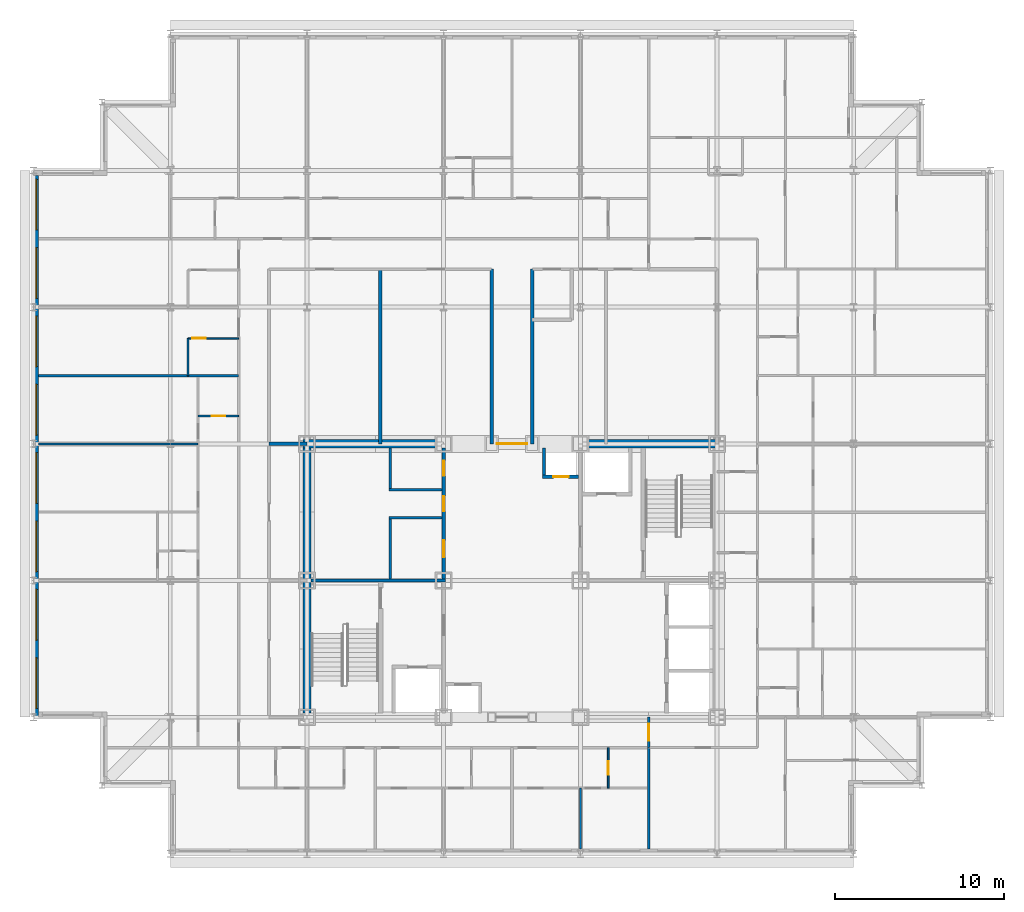
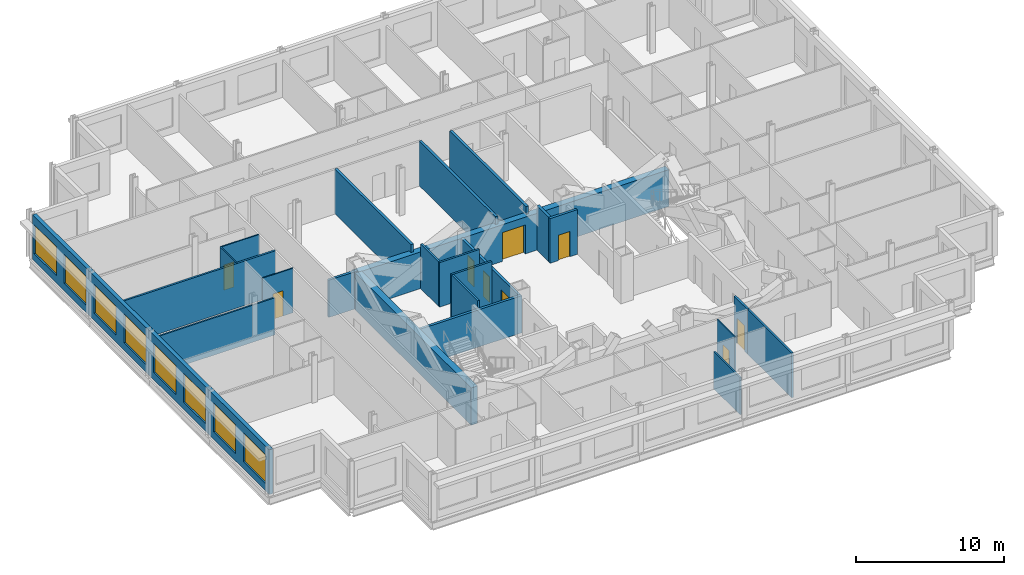
# One storey, part 9 of 15: 24 walls, 9 doors, 8 windows, 17 openings.
"""IFC4 building model written with IfcOpenShell, lengths in metres."""

from ifc_helpers import new_model, si_unit, direction, frame, frame_2d, origin, place, context, subcontext, project, spatial, rectangle, extrude, material, layer, layer_set, type_object, element, fill, save


model = new_model("IFC4")

# Units and contexts
model_context = context("Model", 3, precision=1e-05, world=origin(), true_north=direction((0.0, 1.0)))
body_context = subcontext(model_context, "Body", "Model", "MODEL_VIEW")
ifc_project = project(units=[si_unit("LENGTHUNIT", "METRE"), si_unit("AREAUNIT", "SQUARE_METRE"), si_unit("VOLUMEUNIT", "CUBIC_METRE"), si_unit("PLANEANGLEUNIT", "RADIAN"), si_unit("MASSUNIT", "GRAM", prefix="KILO")], contexts=[model_context])

# Site, building, storey
site_placement = place(None, origin())
site = spatial("IfcSite", under=ifc_project, at=site_placement, CompositionType="ELEMENT")
building_placement = place(site_placement, origin())
building = spatial("IfcBuilding", under=site, at=building_placement, Name="Kopane Lantern Tower", CompositionType="ELEMENT")
storey_placement = place(building_placement, frame((0.0, 0.0, 254.10009765625)))
storey = spatial("IfcBuildingStorey", under=building, at=storey_placement, Name="L65", CompositionType="ELEMENT", Elevation=254.10009765625)

# Walls
ifc_material_1 = material(Name="Gypsum board on steel studs", Category="steel")
ifc_layer_1 = layer(ifc_material_1, 0.1201171875)
ifc_layer_set_1 = layer_set([ifc_layer_1], Name="APARTMENT INTERNAL WALL 120")
wall_type_1 = type_object("IfcWallType", Name="APARTMENT INTERNAL WALL 120", PredefinedType="PARTITIONING", material=ifc_layer_set_1)
wall_1_placement = place(storey_placement, frame((32.39990234375, 20.10009765625, 0.0), z_axis=(0.0, 0.0, 1.0), x_axis=(0.0, -1.0, 0.0)))
element("IfcWall", 1, at=wall_1_placement, inside=storey, type_object=wall_type_1, Name="Apartment Internal Wall 120 L65", PredefinedType="PARTITIONING", context=body_context, shape_type="SweptSolid", body=[
    extrude(rectangle(XDim=3.60009765625, YDim=0.1201171875, at=frame_2d((1.800048828125, 0.0))), origin(), (0.0, 0.0, 1.0), 3.07763671875),
])
wall_2_placement = place(storey_placement, frame((9.75, 40.5, 0.0), z_axis=(0.0, 0.0, 1.0), x_axis=(-1.0, 0.0, 0.0)))
element("IfcWall", 2, at=wall_2_placement, inside=storey, type_object=wall_type_1, Name="Apartment Internal Wall 120 L65", PredefinedType="PARTITIONING", context=body_context, shape_type="SweptSolid", body=[
    extrude(rectangle(XDim=9.449951171875, YDim=0.1201171875, at=frame_2d((4.72509765625, 0.0))), origin(), (0.0, 0.0, 1.0), 3.07763671875),
])

# Wall, opening, door
ifc_material_2 = material(Name="Moisture-resistant board on steel studs", Category="steel")
ifc_layer_2 = layer(ifc_material_2, 0.10009765625)
ifc_layer_set_2 = layer_set([ifc_layer_2], Name="BATHROOM WALL 100")
wall_type_2 = type_object("IfcWallType", Name="BATHROOM WALL 100", PredefinedType="PARTITIONING", material=ifc_layer_set_2)
wall_3_placement = place(storey_placement, frame((34.050048828125, 22.5, 0.0), z_axis=(0.0, 0.0, 1.0), x_axis=(0.0, -1.0, 0.0)))
wall_3 = element("IfcWall", 3, at=wall_3_placement, inside=storey, type_object=wall_type_2, Name="Bathroom Wall 100 L65", PredefinedType="PARTITIONING", context=body_context, shape_type="SweptSolid", body=[
    extrude(rectangle(XDim=2.39990234375, YDim=0.10009765625, at=frame_2d((1.199951171875, 0.0))), origin(), (0.0, 0.0, 1.0), 3.68994140625),
])
opening_1_placement = place(wall_3_placement, frame((0.800048828125, 0.0, 0.0)))
opening_1 = element("IfcOpeningElement", 4, at=opening_1_placement, cuts=wall_3, Name="Opening L65-014", PredefinedType="OPENING", context=body_context, shape_type="SweptSolid", body=[
    extrude(rectangle(XDim=0.800048828125, YDim=2.10009765625, at=frame_2d((0.39990234375, 1.050048828125))), frame((0.0, 0.06005859375, 0.0), z_axis=(0.0, -1.0, 0.0), x_axis=(1.0, 0.0, 0.0)), (0.0, 0.0, 1.0), 0.1201171875),
])
ifc_material_3 = material(Name="Timber door set", Category="wood")
door_type_1 = type_object("IfcDoorType", Name="DOOR D2 800x2100", OperationType="SINGLE_SWING_LEFT", PredefinedType="DOOR", material=ifc_material_3)
door_1_placement = place(opening_1_placement, origin())
door_1 = element("IfcDoor", 5, at=door_1_placement, inside=storey, type_object=door_type_1, Name="Door L65-014", OperationType="SINGLE_SWING_LEFT", OverallHeight=2.10009765625, OverallWidth=0.800048828125, PredefinedType="DOOR", context=body_context, shape_type="SweptSolid", body=[
    extrude(rectangle(XDim=0.800048828125, YDim=2.10009765625, at=frame_2d((0.39990234375, 1.050048828125))), frame((0.0, 0.02490234375, 0.0), z_axis=(0.0, -1.0, 0.0), x_axis=(1.0, 0.0, 0.0)), (0.0, 0.0, 1.0), 0.050048828125),
])
fill(opening_1, door_1)

wall_4_placement = place(storey_placement, frame((12.14990234375, 42.14990234375, 0.0), z_axis=(0.0, 0.0, 1.0), x_axis=(-1.0, 0.0, 0.0)))
wall_4 = element("IfcWall", 6, at=wall_4_placement, inside=storey, type_object=wall_type_2, Name="Bathroom Wall 100 L65", PredefinedType="PARTITIONING", context=body_context, shape_type="SweptSolid", body=[
    extrude(rectangle(XDim=2.39990234375, YDim=0.10009765625, at=frame_2d((1.199951171875, 0.0))), origin(), (0.0, 0.0, 1.0), 3.68994140625),
])
opening_2_placement = place(wall_4_placement, frame((0.800048828125, 0.0, 0.0)))
opening_2 = element("IfcOpeningElement", 7, at=opening_2_placement, cuts=wall_4, Name="Opening L65-025", PredefinedType="OPENING", context=body_context, shape_type="SweptSolid", body=[
    extrude(rectangle(XDim=0.800048828125, YDim=2.10009765625, at=frame_2d((0.39990234375, 1.050048828125))), frame((0.0, 0.06005859375, 0.0), z_axis=(0.0, -1.0, 0.0), x_axis=(1.0, 0.0, 0.0)), (0.0, 0.0, 1.0), 0.1201171875),
])
door_2_placement = place(opening_2_placement, origin())
door_2 = element("IfcDoor", 8, at=door_2_placement, inside=storey, type_object=door_type_1, Name="Door L65-025", OperationType="SINGLE_SWING_RIGHT", OverallHeight=2.10009765625, OverallWidth=0.800048828125, PredefinedType="DOOR", context=body_context, shape_type="SweptSolid", body=[
    extrude(rectangle(XDim=0.800048828125, YDim=2.10009765625, at=frame_2d((0.39990234375, 1.050048828125))), frame((0.0, 0.02490234375, 0.0), z_axis=(0.0, -1.0, 0.0), x_axis=(1.0, 0.0, 0.0)), (0.0, 0.0, 1.0), 0.050048828125),
])
fill(opening_2, door_2)

# Wall
wall_5_placement = place(storey_placement, frame((9.14990234375, 44.550048828125, 0.0), z_axis=(0.0, 0.0, 1.0), x_axis=(0.0, 1.0, 0.0)))
element("IfcWall", 9, at=wall_5_placement, inside=storey, type_object=wall_type_2, Name="Bathroom Wall 100 L65", PredefinedType="PARTITIONING", context=body_context, shape_type="SweptSolid", body=[
    extrude(rectangle(XDim=2.199951171875, YDim=0.10009765625, at=frame_2d((1.10009765625, 0.0))), origin(), (0.0, 0.0, 1.0), 3.68994140625),
])

# Wall, opening, door
wall_6_placement = place(storey_placement, frame((12.14990234375, 46.75, 0.0), z_axis=(0.0, 0.0, 1.0), x_axis=(-1.0, 0.0, 0.0)))
wall_6 = element("IfcWall", 10, at=wall_6_placement, inside=storey, type_object=wall_type_2, Name="Bathroom Wall 100 L65", PredefinedType="PARTITIONING", context=body_context, shape_type="SweptSolid", body=[
    extrude(rectangle(XDim=3.0, YDim=0.10009765625, at=frame_2d((1.5, 0.0))), origin(), (0.0, 0.0, 1.0), 3.68994140625),
])
opening_3_placement = place(wall_6_placement, frame((1.949951171875, 0.0, 0.0)))
opening_3 = element("IfcOpeningElement", 11, at=opening_3_placement, cuts=wall_6, Name="Opening L65-032", PredefinedType="OPENING", context=body_context, shape_type="SweptSolid", body=[
    extrude(rectangle(XDim=0.800048828125, YDim=2.10009765625, at=frame_2d((0.39990234375, 1.050048828125))), frame((0.0, 0.06005859375, 0.0), z_axis=(0.0, -1.0, 0.0), x_axis=(1.0, 0.0, 0.0)), (0.0, 0.0, 1.0), 0.1201171875),
])
door_3_placement = place(opening_3_placement, origin())
door_3 = element("IfcDoor", 12, at=door_3_placement, inside=storey, type_object=door_type_1, Name="Door L65-032", OperationType="SINGLE_SWING_RIGHT", OverallHeight=2.10009765625, OverallWidth=0.800048828125, PredefinedType="DOOR", context=body_context, shape_type="SweptSolid", body=[
    extrude(rectangle(XDim=0.800048828125, YDim=2.10009765625, at=frame_2d((0.39990234375, 1.050048828125))), frame((0.0, 0.02490234375, 0.0), z_axis=(0.0, -1.0, 0.0), x_axis=(1.0, 0.0, 0.0)), (0.0, 0.0, 1.0), 0.050048828125),
])
fill(opening_3, door_3)

ifc_material_4 = material(Name="Gypsum shaft wall EI 120", Category="gypsum")
ifc_layer_3 = layer(ifc_material_4, 0.5)
ifc_layer_set_3 = layer_set([ifc_layer_3], Name="CORE PERIMETER WALL 500 EI 120")
wall_type_3 = type_object("IfcWallType", Name="CORE PERIMETER WALL 500 EI 120", PredefinedType="SOLIDWALL", material=ifc_layer_set_3)
wall_7_placement = place(storey_placement, frame((15.949951171875, 40.5, 0.0), z_axis=(0.0, 0.0, 1.0), x_axis=(1.0, 0.0, 0.0)))
wall_7 = element("IfcWall", 13, at=wall_7_placement, inside=storey, type_object=wall_type_3, Name="Core shaft wall L65 PN", PredefinedType="SOLIDWALL", context=body_context, shape_type="SweptSolid", body=[
    extrude(rectangle(XDim=24.550048828125, YDim=0.5, at=frame_2d((12.27490234375, 0.0))), origin(), (0.0, 0.0, 1.0), 3.039794921875),
])
opening_4_placement = place(wall_7_placement, frame((11.5, 0.0, 0.0)))
opening_4 = element("IfcOpeningElement", 14, at=opening_4_placement, cuts=wall_7, Name="Opening 65.CE-N", PredefinedType="OPENING", context=body_context, shape_type="SweptSolid", body=[
    extrude(rectangle(XDim=1.800048828125, YDim=2.39990234375, at=frame_2d((0.89990234375, 1.199951171875))), frame((0.0, 0.260009765625, 0.0), z_axis=(0.0, -1.0, 0.0), x_axis=(1.0, 0.0, 0.0)), (0.0, 0.0, 1.0), 0.52001953125),
])
ifc_material_5 = material(Name="Steel door set", Category="steel")
door_type_2 = type_object("IfcDoorType", Name="CORE ENTRY DOOR 1800x2400 FD60S", OperationType="DOUBLE_DOOR_SINGLE_SWING", PredefinedType="DOOR", material=ifc_material_5)
door_4_placement = place(opening_4_placement, origin())
door_4 = element("IfcDoor", 15, at=door_4_placement, inside=storey, type_object=door_type_2, Name="Core entry door L65 north", OperationType="DOUBLE_DOOR_SINGLE_SWING", OverallHeight=2.39990234375, OverallWidth=1.800048828125, PredefinedType="DOOR", context=body_context, shape_type="SweptSolid", body=[
    extrude(rectangle(XDim=1.800048828125, YDim=2.39990234375, at=frame_2d((0.89990234375, 1.199951171875))), frame((0.0, 0.02490234375, 0.0), z_axis=(0.0, -1.0, 0.0), x_axis=(1.0, 0.0, 0.0)), (0.0, 0.0, 1.0), 0.050048828125),
])
fill(opening_4, door_4)

# Walls
wall_8_placement = place(storey_placement, frame((16.199951171875, 24.550048828125, 0.0), z_axis=(0.0, 0.0, 1.0), x_axis=(0.0, 1.0, 0.0)))
element("IfcWall", 16, at=wall_8_placement, inside=storey, type_object=wall_type_3, Name="Core shaft wall L65 PW", PredefinedType="SOLIDWALL", context=body_context, shape_type="SweptSolid", body=[
    extrude(rectangle(XDim=15.699951171875, YDim=0.5, at=frame_2d((7.85009765625, 0.0))), origin(), (0.0, 0.0, 1.0), 3.07763671875),
])
ifc_material_6 = material(Name="Gypsum partition EI 60", Category="gypsum")
ifc_layer_4 = layer(ifc_material_6, 0.14990234375)
ifc_layer_set_4 = layer_set([ifc_layer_4], Name="CORE ROOM PARTITION 150 EI 60")
wall_type_4 = type_object("IfcWallType", Name="CORE ROOM PARTITION 150 EI 60", PredefinedType="PARTITIONING", material=ifc_layer_set_4)
for number, where, z_axis, x_axis, name in (
    (17, (21.050048828125, 36.125, 0.0), (0.0, 0.0, 1.0), (1.0, 0.0, 0.0), "Core room partition L65 WW1"),
    (18, (21.050048828125, 37.77490234375, 0.0), (0.0, 0.0, 1.0), (1.0, 0.0, 0.0), "Core room partition L65 WW2"),
):
    element("IfcWall", number, at=place(storey_placement, frame(where, z_axis=z_axis, x_axis=x_axis)), inside=storey, type_object=wall_type_4, Name=name, PredefinedType="PARTITIONING", context=body_context, shape_type="SweptSolid", body=[
        extrude(rectangle(XDim=3.14990234375, YDim=0.14990234375, at=frame_2d((1.574951171875, 0.0))), origin(), (0.0, 0.0, 1.0), 3.68994140625),
    ])
wall_9_placement = place(storey_placement, frame((21.125, 32.5, 0.0), z_axis=(0.0, 0.0, 1.0), x_axis=(0.0, 1.0, 0.0)))
element("IfcWall", 19, at=wall_9_placement, inside=storey, type_object=wall_type_4, Name="Core room partition L65 WWB0", PredefinedType="PARTITIONING", context=body_context, shape_type="SweptSolid", body=[
    extrude(rectangle(XDim=3.550048828125, YDim=0.14990234375, at=frame_2d((1.77490234375, 0.0))), origin(), (0.0, 0.0, 1.0), 3.68994140625),
])
wall_10_placement = place(storey_placement, frame((21.125, 37.85009765625, 0.0), z_axis=(0.0, 0.0, 1.0), x_axis=(0.0, 1.0, 0.0)))
element("IfcWall", 20, at=wall_10_placement, inside=storey, type_object=wall_type_4, Name="Core room partition L65 WWB1", PredefinedType="PARTITIONING", context=body_context, shape_type="SweptSolid", body=[
    extrude(rectangle(XDim=2.39990234375, YDim=0.14990234375, at=frame_2d((1.199951171875, 0.0))), origin(), (0.0, 0.0, 1.0), 3.68994140625),
])

# Wall, openings, doors
ifc_material_7 = material(Name="Gypsum partition EI 60", Category="gypsum")
ifc_layer_5 = layer(ifc_material_7, 0.199951171875)
ifc_layer_set_5 = layer_set([ifc_layer_5], Name="CORE ROOM WALL 200 EI 60")
wall_type_5 = type_object("IfcWallType", Name="CORE ROOM WALL 200 EI 60", PredefinedType="PARTITIONING", material=ifc_layer_set_5)
wall_11_placement = place(storey_placement, frame((24.300048828125, 32.5, 0.0), z_axis=(0.0, 0.0, 1.0), x_axis=(0.0, 1.0, 0.0)))
wall_11 = element("IfcWall", 21, at=wall_11_placement, inside=storey, type_object=wall_type_5, Name="Core room wall L65 XW", PredefinedType="PARTITIONING", context=body_context, shape_type="SweptSolid", body=[
    extrude(rectangle(XDim=7.75, YDim=0.199951171875, at=frame_2d((3.875, 0.0))), origin(), (0.0, 0.0, 1.0), 3.07763671875),
])
opening_5_placement = place(wall_11_placement, frame((1.27490234375, 0.0, 0.0)))
opening_5 = element("IfcOpeningElement", 22, at=opening_5_placement, cuts=wall_11, Name="Opening 65.C30", PredefinedType="OPENING", context=body_context, shape_type="SweptSolid", body=[
    extrude(rectangle(XDim=1.0, YDim=2.10009765625, at=frame_2d((0.5, 1.050048828125))), frame((0.0, 0.10986328125, 0.0), z_axis=(0.0, -1.0, 0.0), x_axis=(1.0, 0.0, 0.0)), (0.0, 0.0, 1.0), 0.219970703125),
])
opening_6_placement = place(wall_11_placement, frame((4.0, 0.0, 0.0)))
opening_6 = element("IfcOpeningElement", 23, at=opening_6_placement, cuts=wall_11, Name="Opening 65.C31", PredefinedType="OPENING", context=body_context, shape_type="SweptSolid", body=[
    extrude(rectangle(XDim=0.89990234375, YDim=2.10009765625, at=frame_2d((0.449951171875, 1.050048828125))), frame((0.0, 0.10986328125, 0.0), z_axis=(0.0, -1.0, 0.0), x_axis=(1.0, 0.0, 0.0)), (0.0, 0.0, 1.0), 0.219970703125),
])
opening_7_placement = place(wall_11_placement, frame((6.10009765625, 0.0, 0.0)))
opening_7 = element("IfcOpeningElement", 24, at=opening_7_placement, cuts=wall_11, Name="Opening 65.C32", PredefinedType="OPENING", context=body_context, shape_type="SweptSolid", body=[
    extrude(rectangle(XDim=0.89990234375, YDim=2.10009765625, at=frame_2d((0.449951171875, 1.050048828125))), frame((0.0, 0.10986328125, 0.0), z_axis=(0.0, -1.0, 0.0), x_axis=(1.0, 0.0, 0.0)), (0.0, 0.0, 1.0), 0.219970703125),
])
ifc_material_8 = material(Name="Steel door set", Category="steel")
door_type_3 = type_object("IfcDoorType", Name="CORE ROOM DOOR 1000x2100 FD30S", OperationType="SINGLE_SWING_RIGHT", PredefinedType="DOOR", material=ifc_material_8)
door_5_placement = place(opening_5_placement, origin())
door_5 = element("IfcDoor", 25, at=door_5_placement, inside=storey, type_object=door_type_3, Name="Door Parcel room L65", OperationType="SINGLE_SWING_LEFT", OverallHeight=2.10009765625, OverallWidth=1.0, PredefinedType="DOOR", context=body_context, shape_type="SweptSolid", body=[
    extrude(rectangle(XDim=1.0, YDim=2.10009765625, at=frame_2d((0.5, 1.050048828125))), frame((0.0, 0.02490234375, 0.0), z_axis=(0.0, -1.0, 0.0), x_axis=(1.0, 0.0, 0.0)), (0.0, 0.0, 1.0), 0.050048828125),
])
fill(opening_5, door_5)
ifc_material_9 = material(Name="Steel door set", Category="steel")
door_type_4 = type_object("IfcDoorType", Name="CORE ROOM DOOR 900x2100 FD60", OperationType="SINGLE_SWING_LEFT", PredefinedType="DOOR", material=ifc_material_9)
door_6_placement = place(opening_6_placement, origin())
door_6 = element("IfcDoor", 26, at=door_6_placement, inside=storey, type_object=door_type_4, Name="Door Residents storage L65", OperationType="SINGLE_SWING_RIGHT", OverallHeight=2.10009765625, OverallWidth=0.89990234375, PredefinedType="DOOR", context=body_context, shape_type="SweptSolid", body=[
    extrude(rectangle(XDim=0.89990234375, YDim=2.10009765625, at=frame_2d((0.449951171875, 1.050048828125))), frame((0.0, 0.02490234375, 0.0), z_axis=(0.0, -1.0, 0.0), x_axis=(1.0, 0.0, 0.0)), (0.0, 0.0, 1.0), 0.050048828125),
])
fill(opening_6, door_6)
door_7_placement = place(opening_7_placement, origin())
door_7 = element("IfcDoor", 27, at=door_7_placement, inside=storey, type_object=door_type_4, Name="Door IT room L65", OperationType="SINGLE_SWING_LEFT", OverallHeight=2.10009765625, OverallWidth=0.89990234375, PredefinedType="DOOR", context=body_context, shape_type="SweptSolid", body=[
    extrude(rectangle(XDim=0.89990234375, YDim=2.10009765625, at=frame_2d((0.449951171875, 1.050048828125))), frame((0.0, 0.02490234375, 0.0), z_axis=(0.0, -1.0, 0.0), x_axis=(1.0, 0.0, 0.0)), (0.0, 0.0, 1.0), 0.050048828125),
])
fill(opening_7, door_7)

# Wall, opening, door
ifc_material_10 = material(Name="Gypsum board on steel studs", Category="steel")
ifc_layer_6 = layer(ifc_material_10, 0.14990234375)
ifc_layer_set_6 = layer_set([ifc_layer_6], Name="CORRIDOR WALL 150 EI 60")
wall_type_6 = type_object("IfcWallType", Name="CORRIDOR WALL 150 EI 60", PredefinedType="PARTITIONING", material=ifc_layer_set_6)
wall_12_placement = place(storey_placement, frame((36.449951171875, 22.5, 0.0), z_axis=(0.0, 0.0, 1.0), x_axis=(0.0, 1.0, 0.0)))
wall_12 = element("IfcWall", 28, at=wall_12_placement, inside=storey, type_object=wall_type_6, Name="Corridor Wall 150 Ei 60 L65", PredefinedType="PARTITIONING", context=body_context, shape_type="SweptSolid", body=[
    extrude(rectangle(XDim=1.800048828125, YDim=0.14990234375, at=frame_2d((0.89990234375, 0.0))), origin(), (0.0, 0.0, 1.0), 3.68994140625),
])
opening_8_placement = place(wall_12_placement, frame((0.39990234375, 0.0, 0.0)))
opening_8 = element("IfcOpeningElement", 29, at=opening_8_placement, cuts=wall_12, Name="Opening L65-043", PredefinedType="OPENING", context=body_context, shape_type="SweptSolid", body=[
    extrude(rectangle(XDim=1.0, YDim=2.10009765625, at=frame_2d((0.5, 1.050048828125))), frame((0.0, 0.0849609375, 0.0), z_axis=(0.0, -1.0, 0.0), x_axis=(1.0, 0.0, 0.0)), (0.0, 0.0, 1.0), 0.169921875),
])
ifc_material_11 = material(Name="Steel door set", Category="steel")
door_type_5 = type_object("IfcDoorType", Name="DOOR D3 1000x2100 FD30S", OperationType="SINGLE_SWING_LEFT", PredefinedType="DOOR", material=ifc_material_11)
door_8_placement = place(opening_8_placement, origin())
door_8 = element("IfcDoor", 30, at=door_8_placement, inside=storey, type_object=door_type_5, Name="Door L65-043", OperationType="SINGLE_SWING_RIGHT", OverallHeight=2.10009765625, OverallWidth=1.0, PredefinedType="DOOR", context=body_context, shape_type="SweptSolid", body=[
    extrude(rectangle(XDim=1.0, YDim=2.10009765625, at=frame_2d((0.5, 1.050048828125))), frame((0.0, 0.02490234375, 0.0), z_axis=(0.0, -1.0, 0.0), x_axis=(1.0, 0.0, 0.0)), (0.0, 0.0, 1.0), 0.050048828125),
])
fill(opening_8, door_8)

# Walls
ifc_material_12 = material(Name="Gypsum board on steel studs", Category="steel")
ifc_layer_7 = layer(ifc_material_12, 0.14990234375)
ifc_layer_set_7 = layer_set([ifc_layer_7], Name="DEMISING WALL 150 EI 60")
wall_type_7 = type_object("IfcWallType", Name="DEMISING WALL 150 EI 60", PredefinedType="PARTITIONING", material=ifc_layer_set_7)
wall_13_placement = place(storey_placement, frame((12.14990234375, 44.550048828125, 0.0), z_axis=(0.0, 0.0, 1.0), x_axis=(-1.0, 0.0, 0.0)))
element("IfcWall", 31, at=wall_13_placement, inside=storey, type_object=wall_type_7, Name="Demising Wall 150 Ei 60 L65", PredefinedType="PARTITIONING", context=body_context, shape_type="SweptSolid", body=[
    extrude(rectangle(XDim=11.849853515625, YDim=0.14990234375, at=frame_2d((5.9248046875, 0.0))), origin(), (0.0, 0.0, 1.0), 3.68994140625),
])
wall_14_placement = place(storey_placement, frame((36.449951171875, 16.5, 0.0), z_axis=(0.0, 0.0, 1.0), x_axis=(0.0, 1.0, 0.0)))
element("IfcWall", 32, at=wall_14_placement, inside=storey, type_object=wall_type_7, Name="Demising Wall 150 Ei 60 L65", PredefinedType="PARTITIONING", context=body_context, shape_type="SweptSolid", body=[
    extrude(rectangle(XDim=6.0, YDim=0.14990234375, at=frame_2d((3.0, 0.0))), origin(), (0.0, 0.0, 1.0), 3.68994140625),
])

# Wall, openings, windows
ifc_material_13 = material(Name="Terracotta rainscreen on light steel framing", Category="masonry")
ifc_layer_8 = layer(ifc_material_13, 0.300048828125)
ifc_layer_set_8 = layer_set([ifc_layer_8], Name="EXTERNAL WALL EW1 300 TERRACOTTA")
wall_type_8 = type_object("IfcWallType", Name="EXTERNAL WALL EW1 300 TERRACOTTA", PredefinedType="SOLIDWALL", material=ifc_layer_set_8)
wall_15_placement = place(storey_placement, frame((0.14990234375, 56.39990234375, 0.0), z_axis=(0.0, 0.0, 1.0), x_axis=(0.0, -1.0, 0.0)))
wall_15 = element("IfcWall", 33, at=wall_15_placement, inside=storey, type_object=wall_type_8, Name="External wall W L65", PredefinedType="SOLIDWALL", context=body_context, shape_type="SweptSolid", body=[
    extrude(rectangle(XDim=32.099853515625, YDim=0.300048828125, at=frame_2d((16.0498046875, 0.0))), origin(), (0.0, 0.0, 1.0), 3.68994140625),
])
opening_9_placement = place(wall_15_placement, frame((0.22509765625, 0.0, 0.60009765625)))
opening_9 = element("IfcOpeningElement", 34, at=opening_9_placement, cuts=wall_15, Name="Opening WR300240", PredefinedType="OPENING", context=body_context, shape_type="SweptSolid", body=[
    extrude(rectangle(XDim=3.0, YDim=2.39990234375, at=frame_2d((1.5, 1.199951171875))), frame((0.0, 0.159912109375, 0.0), z_axis=(0.0, -1.0, 0.0), x_axis=(1.0, 0.0, 0.0)), (0.0, 0.0, 1.0), 0.320068359375),
])
opening_10_placement = place(wall_15_placement, frame((4.27490234375, 0.0, 0.60009765625)))
opening_10 = element("IfcOpeningElement", 35, at=opening_10_placement, cuts=wall_15, Name="Opening WR300240", PredefinedType="OPENING", context=body_context, shape_type="SweptSolid", body=[
    extrude(rectangle(XDim=3.0, YDim=2.39990234375, at=frame_2d((1.5, 1.199951171875))), frame((0.0, 0.159912109375, 0.0), z_axis=(0.0, -1.0, 0.0), x_axis=(1.0, 0.0, 0.0)), (0.0, 0.0, 1.0), 0.320068359375),
])
opening_11_placement = place(wall_15_placement, frame((8.324951171875, 0.0, 0.60009765625)))
opening_11 = element("IfcOpeningElement", 36, at=opening_11_placement, cuts=wall_15, Name="Opening WR300240", PredefinedType="OPENING", context=body_context, shape_type="SweptSolid", body=[
    extrude(rectangle(XDim=3.0, YDim=2.39990234375, at=frame_2d((1.5, 1.199951171875))), frame((0.0, 0.159912109375, 0.0), z_axis=(0.0, -1.0, 0.0), x_axis=(1.0, 0.0, 0.0)), (0.0, 0.0, 1.0), 0.320068359375),
])
opening_12_placement = place(wall_15_placement, frame((12.375, 0.0, 0.60009765625)))
opening_12 = element("IfcOpeningElement", 37, at=opening_12_placement, cuts=wall_15, Name="Opening WR300240", PredefinedType="OPENING", context=body_context, shape_type="SweptSolid", body=[
    extrude(rectangle(XDim=3.0, YDim=2.39990234375, at=frame_2d((1.5, 1.199951171875))), frame((0.0, 0.159912109375, 0.0), z_axis=(0.0, -1.0, 0.0), x_axis=(1.0, 0.0, 0.0)), (0.0, 0.0, 1.0), 0.320068359375),
])
opening_13_placement = place(wall_15_placement, frame((16.425048828125, 0.0, 0.60009765625)))
opening_13 = element("IfcOpeningElement", 38, at=opening_13_placement, cuts=wall_15, Name="Opening WR300240", PredefinedType="OPENING", context=body_context, shape_type="SweptSolid", body=[
    extrude(rectangle(XDim=3.0, YDim=2.39990234375, at=frame_2d((1.5, 1.199951171875))), frame((0.0, 0.159912109375, 0.0), z_axis=(0.0, -1.0, 0.0), x_axis=(1.0, 0.0, 0.0)), (0.0, 0.0, 1.0), 0.320068359375),
])
opening_14_placement = place(wall_15_placement, frame((20.47509765625, 0.0, 0.60009765625)))
opening_14 = element("IfcOpeningElement", 39, at=opening_14_placement, cuts=wall_15, Name="Opening WR300240", PredefinedType="OPENING", context=body_context, shape_type="SweptSolid", body=[
    extrude(rectangle(XDim=3.0, YDim=2.39990234375, at=frame_2d((1.5, 1.199951171875))), frame((0.0, 0.159912109375, 0.0), z_axis=(0.0, -1.0, 0.0), x_axis=(1.0, 0.0, 0.0)), (0.0, 0.0, 1.0), 0.320068359375),
])
opening_15_placement = place(wall_15_placement, frame((24.52490234375, 0.0, 0.60009765625)))
opening_15 = element("IfcOpeningElement", 40, at=opening_15_placement, cuts=wall_15, Name="Opening WR300240", PredefinedType="OPENING", context=body_context, shape_type="SweptSolid", body=[
    extrude(rectangle(XDim=3.0, YDim=2.39990234375, at=frame_2d((1.5, 1.199951171875))), frame((0.0, 0.159912109375, 0.0), z_axis=(0.0, -1.0, 0.0), x_axis=(1.0, 0.0, 0.0)), (0.0, 0.0, 1.0), 0.320068359375),
])
opening_16_placement = place(wall_15_placement, frame((28.574951171875, 0.0, 0.60009765625)))
opening_16 = element("IfcOpeningElement", 41, at=opening_16_placement, cuts=wall_15, Name="Opening WR300240", PredefinedType="OPENING", context=body_context, shape_type="SweptSolid", body=[
    extrude(rectangle(XDim=3.0, YDim=2.39990234375, at=frame_2d((1.5, 1.199951171875))), frame((0.0, 0.159912109375, 0.0), z_axis=(0.0, -1.0, 0.0), x_axis=(1.0, 0.0, 0.0)), (0.0, 0.0, 1.0), 0.320068359375),
])
ifc_material_14 = material(Name="Aluminium and clear glass", Category="aluminium")
window_type = type_object("IfcWindowType", Name="RIBBON WINDOW WR300240 3000x2400", PartitioningType="SINGLE_PANEL", PredefinedType="WINDOW", material=ifc_material_14)
window_1_placement = place(opening_9_placement, origin())
window_1 = element("IfcWindow", 42, at=window_1_placement, inside=storey, type_object=window_type, Name="Window W L65", OverallHeight=2.39990234375, OverallWidth=3.0, PartitioningType="SINGLE_PANEL", PredefinedType="WINDOW", context=body_context, shape_type="SweptSolid", body=[
    extrude(rectangle(XDim=3.0, YDim=2.39990234375, at=frame_2d((1.5, 1.199951171875))), frame((0.0, 0.030029296875, 0.0), z_axis=(0.0, -1.0, 0.0), x_axis=(1.0, 0.0, 0.0)), (0.0, 0.0, 1.0), 0.06005859375),
])
fill(opening_9, window_1)
window_2_placement = place(opening_10_placement, origin())
window_2 = element("IfcWindow", 43, at=window_2_placement, inside=storey, type_object=window_type, Name="Window W L65", OverallHeight=2.39990234375, OverallWidth=3.0, PartitioningType="SINGLE_PANEL", PredefinedType="WINDOW", context=body_context, shape_type="SweptSolid", body=[
    extrude(rectangle(XDim=3.0, YDim=2.39990234375, at=frame_2d((1.5, 1.199951171875))), frame((0.0, 0.030029296875, 0.0), z_axis=(0.0, -1.0, 0.0), x_axis=(1.0, 0.0, 0.0)), (0.0, 0.0, 1.0), 0.06005859375),
])
fill(opening_10, window_2)
window_3_placement = place(opening_11_placement, origin())
window_3 = element("IfcWindow", 44, at=window_3_placement, inside=storey, type_object=window_type, Name="Window W L65", OverallHeight=2.39990234375, OverallWidth=3.0, PartitioningType="SINGLE_PANEL", PredefinedType="WINDOW", context=body_context, shape_type="SweptSolid", body=[
    extrude(rectangle(XDim=3.0, YDim=2.39990234375, at=frame_2d((1.5, 1.199951171875))), frame((0.0, 0.030029296875, 0.0), z_axis=(0.0, -1.0, 0.0), x_axis=(1.0, 0.0, 0.0)), (0.0, 0.0, 1.0), 0.06005859375),
])
fill(opening_11, window_3)
window_4_placement = place(opening_12_placement, origin())
window_4 = element("IfcWindow", 45, at=window_4_placement, inside=storey, type_object=window_type, Name="Window W L65", OverallHeight=2.39990234375, OverallWidth=3.0, PartitioningType="SINGLE_PANEL", PredefinedType="WINDOW", context=body_context, shape_type="SweptSolid", body=[
    extrude(rectangle(XDim=3.0, YDim=2.39990234375, at=frame_2d((1.5, 1.199951171875))), frame((0.0, 0.030029296875, 0.0), z_axis=(0.0, -1.0, 0.0), x_axis=(1.0, 0.0, 0.0)), (0.0, 0.0, 1.0), 0.06005859375),
])
fill(opening_12, window_4)
window_5_placement = place(opening_13_placement, origin())
window_5 = element("IfcWindow", 46, at=window_5_placement, inside=storey, type_object=window_type, Name="Window W L65", OverallHeight=2.39990234375, OverallWidth=3.0, PartitioningType="SINGLE_PANEL", PredefinedType="WINDOW", context=body_context, shape_type="SweptSolid", body=[
    extrude(rectangle(XDim=3.0, YDim=2.39990234375, at=frame_2d((1.5, 1.199951171875))), frame((0.0, 0.030029296875, 0.0), z_axis=(0.0, -1.0, 0.0), x_axis=(1.0, 0.0, 0.0)), (0.0, 0.0, 1.0), 0.06005859375),
])
fill(opening_13, window_5)
window_6_placement = place(opening_14_placement, origin())
window_6 = element("IfcWindow", 47, at=window_6_placement, inside=storey, type_object=window_type, Name="Window W L65", OverallHeight=2.39990234375, OverallWidth=3.0, PartitioningType="SINGLE_PANEL", PredefinedType="WINDOW", context=body_context, shape_type="SweptSolid", body=[
    extrude(rectangle(XDim=3.0, YDim=2.39990234375, at=frame_2d((1.5, 1.199951171875))), frame((0.0, 0.030029296875, 0.0), z_axis=(0.0, -1.0, 0.0), x_axis=(1.0, 0.0, 0.0)), (0.0, 0.0, 1.0), 0.06005859375),
])
fill(opening_14, window_6)
window_7_placement = place(opening_15_placement, origin())
window_7 = element("IfcWindow", 48, at=window_7_placement, inside=storey, type_object=window_type, Name="Window W L65", OverallHeight=2.39990234375, OverallWidth=3.0, PartitioningType="SINGLE_PANEL", PredefinedType="WINDOW", context=body_context, shape_type="SweptSolid", body=[
    extrude(rectangle(XDim=3.0, YDim=2.39990234375, at=frame_2d((1.5, 1.199951171875))), frame((0.0, 0.030029296875, 0.0), z_axis=(0.0, -1.0, 0.0), x_axis=(1.0, 0.0, 0.0)), (0.0, 0.0, 1.0), 0.06005859375),
])
fill(opening_15, window_7)
window_8_placement = place(opening_16_placement, origin())
window_8 = element("IfcWindow", 49, at=window_8_placement, inside=storey, type_object=window_type, Name="Window W L65", OverallHeight=2.39990234375, OverallWidth=3.0, PartitioningType="SINGLE_PANEL", PredefinedType="WINDOW", context=body_context, shape_type="SweptSolid", body=[
    extrude(rectangle(XDim=3.0, YDim=2.39990234375, at=frame_2d((1.5, 1.199951171875))), frame((0.0, 0.030029296875, 0.0), z_axis=(0.0, -1.0, 0.0), x_axis=(1.0, 0.0, 0.0)), (0.0, 0.0, 1.0), 0.06005859375),
])
fill(opening_16, window_8)

# Walls
ifc_material_15 = material(Name="Concrete masonry", Category="masonry")
ifc_layer_9 = layer(ifc_material_15, 0.199951171875)
ifc_layer_set_9 = layer_set([ifc_layer_9], Name="PLANT ROOM WALL 200 EI 120")
wall_type_9 = type_object("IfcWallType", Name="PLANT ROOM WALL 200 EI 120", PredefinedType="SOLIDWALL", material=ifc_layer_set_9)
for number, where, z_axis, x_axis, name in (
    (50, (20.550048828125, 50.85009765625, 0.0), (0.0, 0.0, 1.0), (0.0, -1.0, 0.0), "Plant Room Wall 200 Ei 120 L65"),
    (51, (27.14990234375, 40.5, 0.0), (0.0, 0.0, 1.0), (0.0, 1.0, 0.0), "Plant Room Wall 200 Ei 120 L65"),
    (52, (29.550048828125, 40.5, 0.0), (0.0, 0.0, 1.0), (0.0, 1.0, 0.0), "Plant Room Wall 200 Ei 120 L65"),
):
    element("IfcWall", number, at=place(storey_placement, frame(where, z_axis=z_axis, x_axis=x_axis)), inside=storey, type_object=wall_type_9, Name=name, PredefinedType="SOLIDWALL", context=body_context, shape_type="SweptSolid", body=[
        extrude(rectangle(XDim=10.35009765625, YDim=0.199951171875, at=frame_2d((5.175048828125, 0.0))), origin(), (0.0, 0.0, 1.0), 3.68994140625),
    ])
wall_16_placement = place(storey_placement, frame((13.949951171875, 40.5, 0.0), z_axis=(0.0, 0.0, 1.0), x_axis=(1.0, 0.0, 0.0)))
element("IfcWall", 53, at=wall_16_placement, inside=storey, type_object=wall_type_9, Name="Plant Room Wall 200 Ei 120 L65", PredefinedType="SOLIDWALL", context=body_context, shape_type="SweptSolid", body=[
    extrude(rectangle(XDim=2.25, YDim=0.199951171875, at=frame_2d((1.125, 0.0))), origin(), (0.0, 0.0, 1.0), 3.07763671875),
])
ifc_material_16 = material(Name="Gypsum shaft wall EI 120", Category="gypsum")
ifc_layer_10 = layer(ifc_material_16, 0.199951171875)
ifc_layer_set_10 = layer_set([ifc_layer_10], Name="SHAFT WALL 200 EI 120")
wall_type_10 = type_object("IfcWallType", Name="SHAFT WALL 200 EI 120", PredefinedType="SOLIDWALL", material=ifc_layer_set_10)
wall_17_placement = place(storey_placement, frame((16.449951171875, 32.39990234375, 0.0), z_axis=(0.0, 0.0, 1.0), x_axis=(1.0, 0.0, 0.0)))
element("IfcWall", 54, at=wall_17_placement, inside=storey, type_object=wall_type_10, Name="Core shaft wall L65 Y324W", PredefinedType="SOLIDWALL", context=body_context, shape_type="SweptSolid", body=[
    extrude(rectangle(XDim=7.949951171875, YDim=0.199951171875, at=frame_2d((3.97509765625, 0.0))), origin(), (0.0, 0.0, 1.0), 3.07763671875),
])
wall_18_placement = place(storey_placement, frame((30.25, 38.64990234375, 0.0), z_axis=(0.0, 0.0, 1.0), x_axis=(0.0, 1.0, 0.0)))
element("IfcWall", 55, at=wall_18_placement, inside=storey, type_object=wall_type_10, Name="Core shaft wall L65 XRS2", PredefinedType="SOLIDWALL", context=body_context, shape_type="SweptSolid", body=[
    extrude(rectangle(XDim=1.60009765625, YDim=0.199951171875, at=frame_2d((0.800048828125, 0.0))), origin(), (0.0, 0.0, 1.0), 3.68994140625),
])

# Wall, opening, door
wall_19_placement = place(storey_placement, frame((30.14990234375, 38.550048828125, 0.0), z_axis=(0.0, 0.0, 1.0), x_axis=(1.0, 0.0, 0.0)))
wall_19 = element("IfcWall", 56, at=wall_19_placement, inside=storey, type_object=wall_type_10, Name="Core shaft wall L65 YRS2", PredefinedType="SOLIDWALL", context=body_context, shape_type="SweptSolid", body=[
    extrude(rectangle(XDim=2.150146484375, YDim=0.199951171875, at=frame_2d((1.0751953125, 0.0))), origin(), (0.0, 0.0, 1.0), 3.68994140625),
])
opening_17_placement = place(wall_19_placement, frame((0.64990234375, 0.0, 0.0)))
opening_17 = element("IfcOpeningElement", 57, at=opening_17_placement, cuts=wall_19, Name="Opening 65.RS2", PredefinedType="OPENING", context=body_context, shape_type="SweptSolid", body=[
    extrude(rectangle(XDim=0.89990234375, YDim=2.10009765625, at=frame_2d((0.449951171875, 1.050048828125))), frame((0.0, 0.10986328125, 0.0), z_axis=(0.0, -1.0, 0.0), x_axis=(1.0, 0.0, 0.0)), (0.0, 0.0, 1.0), 0.219970703125),
])
ifc_material_17 = material(Name="Steel door set", Category="steel")
door_type_6 = type_object("IfcDoorType", Name="RISER ACCESS DOOR 900x2100 FD60", OperationType="SINGLE_SWING_LEFT", PredefinedType="DOOR", material=ifc_material_17)
door_9_placement = place(opening_17_placement, origin())
door_9 = element("IfcDoor", 58, at=door_9_placement, inside=storey, type_object=door_type_6, Name="Riser access door RS2 L65", OperationType="SINGLE_SWING_LEFT", OverallHeight=2.10009765625, OverallWidth=0.89990234375, PredefinedType="DOOR", context=body_context, shape_type="SweptSolid", body=[
    extrude(rectangle(XDim=0.89990234375, YDim=2.10009765625, at=frame_2d((0.449951171875, 1.050048828125))), frame((0.0, 0.02490234375, 0.0), z_axis=(0.0, -1.0, 0.0), x_axis=(1.0, 0.0, 0.0)), (0.0, 0.0, 1.0), 0.050048828125),
])
fill(opening_17, door_9)

save(model, "model.ifc")
